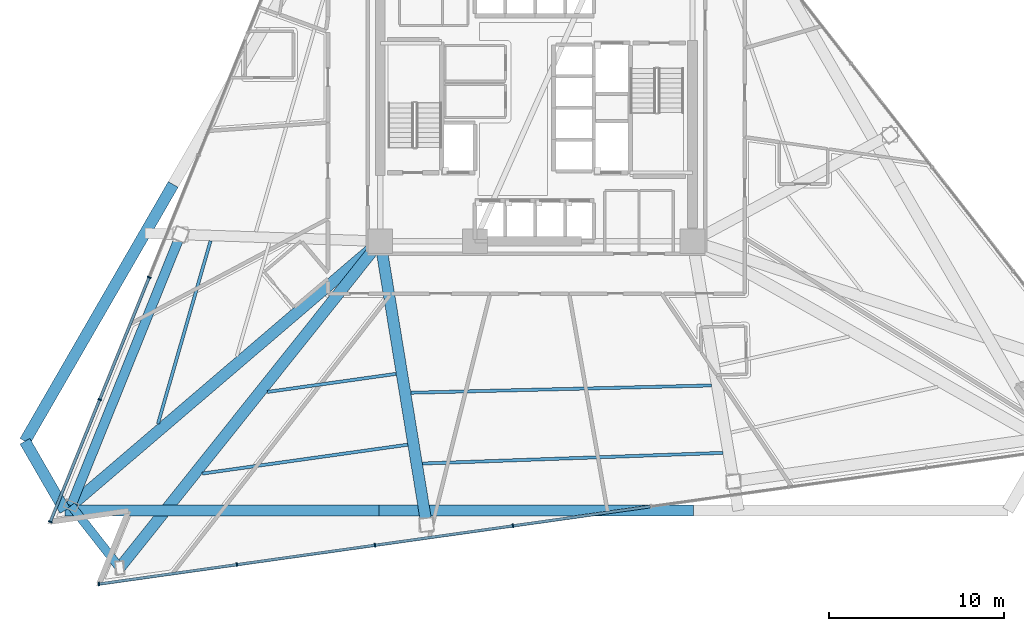
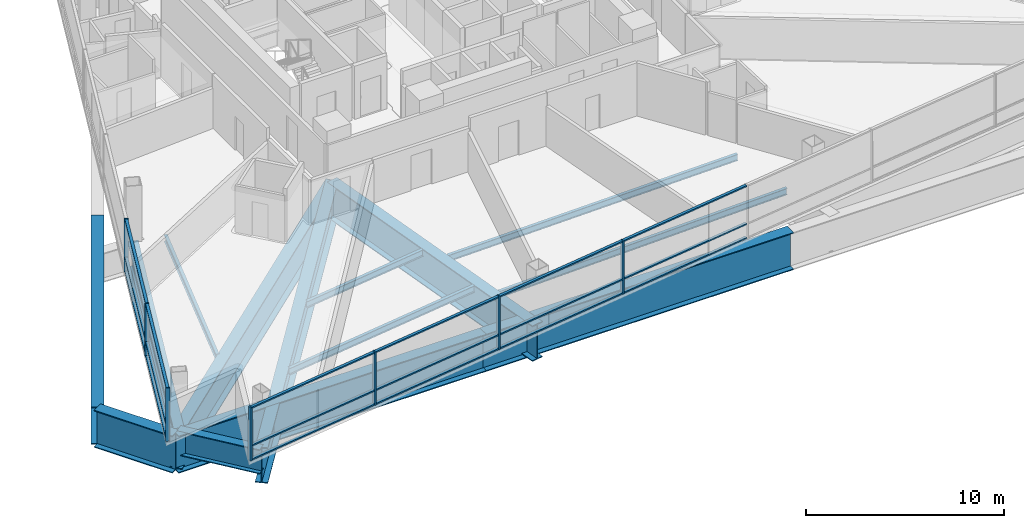
# One storey, part 2 of 15: 25 members, 14 beams, 2 elements without a shape of their own.
"""IFC4 building model written with IfcOpenShell, lengths in metres."""

from ifc_helpers import new_model, si_unit, direction, frame, origin, origin_2d, place, context, subcontext, project, spatial, rectangle, i_section, extrude, material, layer, layer_set, material_profile, profile_set, type_object, element, aggregate, save


model = new_model("IFC4")

# Units and contexts
model_context = context("Model", 3, precision=1e-05, world=origin(), true_north=direction((0.0, 1.0)))
body_context = subcontext(model_context, "Body", "Model", "MODEL_VIEW")
ifc_project = project(units=[si_unit("LENGTHUNIT", "METRE"), si_unit("AREAUNIT", "SQUARE_METRE"), si_unit("VOLUMEUNIT", "CUBIC_METRE"), si_unit("PLANEANGLEUNIT", "RADIAN"), si_unit("MASSUNIT", "GRAM", prefix="KILO")], contexts=[model_context])

# Site, building, storey
site_placement = place(None, origin())
site = spatial("IfcSite", under=ifc_project, at=site_placement, CompositionType="ELEMENT")
building_placement = place(site_placement, origin())
building = spatial("IfcBuilding", under=site, at=building_placement, Name="Tharavind Bronze Gate", CompositionType="ELEMENT")
storey_placement = place(building_placement, frame((0.0, 0.0, 57.0)))
storey = spatial("IfcBuildingStorey", under=building, at=storey_placement, Name="L13", CompositionType="ELEMENT", Elevation=57.0)

# Curtain wall, members
ifc_material_1 = material(Name="Anodised Bronze Aluminium", Category="aluminium")
ifc_layer = layer(ifc_material_1, 0.219970703125)
ifc_layer_set = layer_set([ifc_layer], Name="Anodised Bronze Aluminium")
curtain_wall_type = type_object("IfcCurtainWallType", Name="UNITISED CURTAIN WALL HOTEL", PredefinedType="USERDEFINED", material=ifc_layer_set)
curtain_wall_1_placement = place(storey_placement, origin())
curtain_wall_1 = element("IfcCurtainWall", 1, at=curtain_wall_1_placement, inside=storey, type_object=curtain_wall_type, Name="L13 unitised curtain wall hotel CW-L13-S1", ObjectType="UNITISED CURTAIN WALL", PredefinedType="USERDEFINED")
member_type_1 = type_object("IfcMemberType", Name="CURTAIN WALL MULLION 80X220", PredefinedType="MULLION", material=ifc_material_1)
member_1_placement = place(storey_placement, frame((-22.07666015625, -9.65625, 0.0), z_axis=(0.0, 0.0, 1.0), x_axis=(-0.374606593416, -0.927183854567, 0.0)))
member_1 = element("IfcMember", 2, at=member_1_placement, type_object=member_type_1, Name="CW-L13-S1 mullion 6", PredefinedType="MULLION", context=body_context, shape_type="SweptSolid", body=[
    extrude(rectangle(XDim=0.080078125, YDim=0.219970703125, at=origin_2d()), origin(), (0.0, 0.0, 1.0), 3.27490234375),
])
member_2_placement = place(storey_placement, frame((-24.891845703125, -16.6240234375, 0.0), z_axis=(0.0, 0.0, 1.0), x_axis=(-0.374606593416, -0.927183854567, 0.0)))
member_2 = element("IfcMember", 3, at=member_2_placement, type_object=member_type_1, Name="CW-L13-S1 mullion 7", PredefinedType="MULLION", context=body_context, shape_type="SweptSolid", body=[
    extrude(rectangle(XDim=0.080078125, YDim=0.219970703125, at=origin_2d()), origin(), (0.0, 0.0, 1.0), 3.27490234375),
])
member_3_placement = place(storey_placement, frame((-27.70703125, -23.591796875, 0.0), z_axis=(0.0, 0.0, 1.0), x_axis=(-0.374606593416, -0.927183854567, 0.0)))
member_3 = element("IfcMember", 4, at=member_3_placement, type_object=member_type_1, Name="CW-L13-S1 mullion 8", PredefinedType="MULLION", context=body_context, shape_type="SweptSolid", body=[
    extrude(rectangle(XDim=0.080078125, YDim=0.219970703125, at=origin_2d()), origin(), (0.0, 0.0, 1.0), 3.27490234375),
])

curtain_wall_2_placement = place(storey_placement, origin())
curtain_wall_2 = element("IfcCurtainWall", 5, at=curtain_wall_2_placement, inside=storey, type_object=curtain_wall_type, Name="L13 unitised curtain wall hotel CW-L13-S2", ObjectType="UNITISED CURTAIN WALL", PredefinedType="USERDEFINED")
member_4_placement = place(storey_placement, frame((-24.9365234375, -27.137939453125, 0.0), z_axis=(0.0, 0.0, 1.0), x_axis=(0.990268068742, 0.13917310096, 0.0)))
member_4 = element("IfcMember", 6, at=member_4_placement, type_object=member_type_1, Name="CW-L13-S2 mullion 1", PredefinedType="MULLION", context=body_context, shape_type="SweptSolid", body=[
    extrude(rectangle(XDim=0.080078125, YDim=0.219970703125, at=origin_2d()), origin(), (0.0, 0.0, 1.0), 3.27490234375),
])
member_5_placement = place(storey_placement, frame((-17.0703125, -26.032470703125, 0.0), z_axis=(0.0, 0.0, 1.0), x_axis=(0.990268068742, 0.13917310096, 0.0)))
member_5 = element("IfcMember", 7, at=member_5_placement, type_object=member_type_1, Name="CW-L13-S2 mullion 2", PredefinedType="MULLION", context=body_context, shape_type="SweptSolid", body=[
    extrude(rectangle(XDim=0.080078125, YDim=0.219970703125, at=origin_2d()), origin(), (0.0, 0.0, 1.0), 3.27490234375),
])
member_6_placement = place(storey_placement, frame((-9.203857421875, -24.9267578125, 0.0), z_axis=(0.0, 0.0, 1.0), x_axis=(0.990268068742, 0.13917310096, 0.0)))
member_6 = element("IfcMember", 8, at=member_6_placement, type_object=member_type_1, Name="CW-L13-S2 mullion 3", PredefinedType="MULLION", context=body_context, shape_type="SweptSolid", body=[
    extrude(rectangle(XDim=0.080078125, YDim=0.219970703125, at=origin_2d()), origin(), (0.0, 0.0, 1.0), 3.27490234375),
])
member_7_placement = place(storey_placement, frame((-1.337646484375, -23.8212890625, 0.0), z_axis=(0.0, 0.0, 1.0), x_axis=(0.990268068742, 0.13917310096, 0.0)))
member_7 = element("IfcMember", 9, at=member_7_placement, type_object=member_type_1, Name="CW-L13-S2 mullion 4", PredefinedType="MULLION", context=body_context, shape_type="SweptSolid", body=[
    extrude(rectangle(XDim=0.080078125, YDim=0.219970703125, at=origin_2d()), origin(), (0.0, 0.0, 1.0), 3.27490234375),
])

# Member
member_type_2 = type_object("IfcMemberType", Name="CURTAIN WALL TRANSOM 80X160", PredefinedType="USERDEFINED", material=ifc_material_1)
member_8_placement = place(storey_placement, frame((-23.484375, -13.14013671875, 0.0), z_axis=(0.0, 0.0, 1.0), x_axis=(-0.374606593416, -0.927183854567, 0.0)))
member_8 = element("IfcMember", 10, at=member_8_placement, type_object=member_type_2, Name="CW-L13-S1 transom TB6", ObjectType="TRANSOM", PredefinedType="USERDEFINED", context=body_context, shape_type="SweptSolid", body=[
    extrude(rectangle(XDim=7.447021484375, YDim=0.159912109375, at=origin_2d()), origin(), (0.0, 0.0, 1.0), 0.080078125),
])

member_9_placement = place(storey_placement, frame((-23.484375, -13.14013671875, 0.85986328125), z_axis=(0.0, 0.0, 1.0), x_axis=(-0.374606593416, -0.927183854567, 0.0)))
member_9 = element("IfcMember", 11, at=member_9_placement, type_object=member_type_2, Name="CW-L13-S1 transom TS6", ObjectType="TRANSOM", PredefinedType="USERDEFINED", context=body_context, shape_type="SweptSolid", body=[
    extrude(rectangle(XDim=7.447021484375, YDim=0.159912109375, at=origin_2d()), origin(), (0.0, 0.0, 1.0), 0.080078125),
])

member_10_placement = place(storey_placement, frame((-23.484375, -13.14013671875, 3.195068359375), z_axis=(0.0, 0.0, 1.0), x_axis=(-0.374606593416, -0.927183854567, 0.0)))
member_10 = element("IfcMember", 12, at=member_10_placement, type_object=member_type_2, Name="CW-L13-S1 transom TT6", ObjectType="TRANSOM", PredefinedType="USERDEFINED", context=body_context, shape_type="SweptSolid", body=[
    extrude(rectangle(XDim=7.447021484375, YDim=0.159912109375, at=origin_2d()), origin(), (0.0, 0.0, 1.0), 0.080078125),
])

member_11_placement = place(storey_placement, frame((-26.299560546875, -20.10791015625, 0.0), z_axis=(0.0, 0.0, 1.0), x_axis=(-0.374606593416, -0.927183854567, 0.0)))
member_11 = element("IfcMember", 13, at=member_11_placement, type_object=member_type_2, Name="CW-L13-S1 transom TB7", ObjectType="TRANSOM", PredefinedType="USERDEFINED", context=body_context, shape_type="SweptSolid", body=[
    extrude(rectangle(XDim=7.447021484375, YDim=0.159912109375, at=origin_2d()), origin(), (0.0, 0.0, 1.0), 0.080078125),
])

member_12_placement = place(storey_placement, frame((-26.299560546875, -20.10791015625, 0.85986328125), z_axis=(0.0, 0.0, 1.0), x_axis=(-0.374606593416, -0.927183854567, 0.0)))
member_12 = element("IfcMember", 14, at=member_12_placement, type_object=member_type_2, Name="CW-L13-S1 transom TS7", ObjectType="TRANSOM", PredefinedType="USERDEFINED", context=body_context, shape_type="SweptSolid", body=[
    extrude(rectangle(XDim=7.447021484375, YDim=0.159912109375, at=origin_2d()), origin(), (0.0, 0.0, 1.0), 0.080078125),
])

member_13_placement = place(storey_placement, frame((-26.299560546875, -20.10791015625, 3.195068359375), z_axis=(0.0, 0.0, 1.0), x_axis=(-0.374606593416, -0.927183854567, 0.0)))
member_13 = element("IfcMember", 15, at=member_13_placement, type_object=member_type_2, Name="CW-L13-S1 transom TT7", ObjectType="TRANSOM", PredefinedType="USERDEFINED", context=body_context, shape_type="SweptSolid", body=[
    extrude(rectangle(XDim=7.447021484375, YDim=0.159912109375, at=origin_2d()), origin(), (0.0, 0.0, 1.0), 0.080078125),
])

aggregate(curtain_wall_1, [member_1, member_2, member_3, member_8, member_9, member_10, member_11, member_12, member_13])

member_14_placement = place(storey_placement, frame((-21.00341796875, -26.585205078125, 0.0), z_axis=(0.0, 0.0, 1.0), x_axis=(0.990268068742, 0.13917310096, 0.0)))
member_14 = element("IfcMember", 16, at=member_14_placement, type_object=member_type_2, Name="CW-L13-S2 transom TB1", ObjectType="TRANSOM", PredefinedType="USERDEFINED", context=body_context, shape_type="SweptSolid", body=[
    extrude(rectangle(XDim=7.87548828125, YDim=0.159912109375, at=origin_2d()), origin(), (0.0, 0.0, 1.0), 0.080078125),
])

member_15_placement = place(storey_placement, frame((-21.00341796875, -26.585205078125, 0.85986328125), z_axis=(0.0, 0.0, 1.0), x_axis=(0.990268068742, 0.13917310096, 0.0)))
member_15 = element("IfcMember", 17, at=member_15_placement, type_object=member_type_2, Name="CW-L13-S2 transom TS1", ObjectType="TRANSOM", PredefinedType="USERDEFINED", context=body_context, shape_type="SweptSolid", body=[
    extrude(rectangle(XDim=7.87548828125, YDim=0.159912109375, at=origin_2d()), origin(), (0.0, 0.0, 1.0), 0.080078125),
])

member_16_placement = place(storey_placement, frame((-21.00341796875, -26.585205078125, 3.195068359375), z_axis=(0.0, 0.0, 1.0), x_axis=(0.990268068742, 0.13917310096, 0.0)))
member_16 = element("IfcMember", 18, at=member_16_placement, type_object=member_type_2, Name="CW-L13-S2 transom TT1", ObjectType="TRANSOM", PredefinedType="USERDEFINED", context=body_context, shape_type="SweptSolid", body=[
    extrude(rectangle(XDim=7.87548828125, YDim=0.159912109375, at=origin_2d()), origin(), (0.0, 0.0, 1.0), 0.080078125),
])

member_17_placement = place(storey_placement, frame((-13.13720703125, -25.4794921875, 0.0), z_axis=(0.0, 0.0, 1.0), x_axis=(0.990268068742, 0.13917310096, 0.0)))
member_17 = element("IfcMember", 19, at=member_17_placement, type_object=member_type_2, Name="CW-L13-S2 transom TB2", ObjectType="TRANSOM", PredefinedType="USERDEFINED", context=body_context, shape_type="SweptSolid", body=[
    extrude(rectangle(XDim=7.87548828125, YDim=0.159912109375, at=origin_2d()), origin(), (0.0, 0.0, 1.0), 0.080078125),
])

member_18_placement = place(storey_placement, frame((-13.13720703125, -25.4794921875, 0.85986328125), z_axis=(0.0, 0.0, 1.0), x_axis=(0.990268068742, 0.13917310096, 0.0)))
member_18 = element("IfcMember", 20, at=member_18_placement, type_object=member_type_2, Name="CW-L13-S2 transom TS2", ObjectType="TRANSOM", PredefinedType="USERDEFINED", context=body_context, shape_type="SweptSolid", body=[
    extrude(rectangle(XDim=7.87548828125, YDim=0.159912109375, at=origin_2d()), origin(), (0.0, 0.0, 1.0), 0.080078125),
])

member_19_placement = place(storey_placement, frame((-13.13720703125, -25.4794921875, 3.195068359375), z_axis=(0.0, 0.0, 1.0), x_axis=(0.990268068742, 0.13917310096, 0.0)))
member_19 = element("IfcMember", 21, at=member_19_placement, type_object=member_type_2, Name="CW-L13-S2 transom TT2", ObjectType="TRANSOM", PredefinedType="USERDEFINED", context=body_context, shape_type="SweptSolid", body=[
    extrude(rectangle(XDim=7.87548828125, YDim=0.159912109375, at=origin_2d()), origin(), (0.0, 0.0, 1.0), 0.080078125),
])

member_20_placement = place(storey_placement, frame((-5.270751953125, -24.3740234375, 0.0), z_axis=(0.0, 0.0, 1.0), x_axis=(0.990268068742, 0.13917310096, 0.0)))
member_20 = element("IfcMember", 22, at=member_20_placement, type_object=member_type_2, Name="CW-L13-S2 transom TB3", ObjectType="TRANSOM", PredefinedType="USERDEFINED", context=body_context, shape_type="SweptSolid", body=[
    extrude(rectangle(XDim=7.87548828125, YDim=0.159912109375, at=origin_2d()), origin(), (0.0, 0.0, 1.0), 0.080078125),
])

member_21_placement = place(storey_placement, frame((-5.270751953125, -24.3740234375, 0.85986328125), z_axis=(0.0, 0.0, 1.0), x_axis=(0.990268068742, 0.13917310096, 0.0)))
member_21 = element("IfcMember", 23, at=member_21_placement, type_object=member_type_2, Name="CW-L13-S2 transom TS3", ObjectType="TRANSOM", PredefinedType="USERDEFINED", context=body_context, shape_type="SweptSolid", body=[
    extrude(rectangle(XDim=7.87548828125, YDim=0.159912109375, at=origin_2d()), origin(), (0.0, 0.0, 1.0), 0.080078125),
])

member_22_placement = place(storey_placement, frame((-5.270751953125, -24.3740234375, 3.195068359375), z_axis=(0.0, 0.0, 1.0), x_axis=(0.990268068742, 0.13917310096, 0.0)))
member_22 = element("IfcMember", 24, at=member_22_placement, type_object=member_type_2, Name="CW-L13-S2 transom TT3", ObjectType="TRANSOM", PredefinedType="USERDEFINED", context=body_context, shape_type="SweptSolid", body=[
    extrude(rectangle(XDim=7.87548828125, YDim=0.159912109375, at=origin_2d()), origin(), (0.0, 0.0, 1.0), 0.080078125),
])

member_23_placement = place(storey_placement, frame((2.595703125, -23.2685546875, 0.0), z_axis=(0.0, 0.0, 1.0), x_axis=(0.990268068742, 0.13917310096, 0.0)))
member_23 = element("IfcMember", 25, at=member_23_placement, type_object=member_type_2, Name="CW-L13-S2 transom TB4", ObjectType="TRANSOM", PredefinedType="USERDEFINED", context=body_context, shape_type="SweptSolid", body=[
    extrude(rectangle(XDim=7.87548828125, YDim=0.159912109375, at=origin_2d()), origin(), (0.0, 0.0, 1.0), 0.080078125),
])

member_24_placement = place(storey_placement, frame((2.595703125, -23.2685546875, 0.85986328125), z_axis=(0.0, 0.0, 1.0), x_axis=(0.990268068742, 0.13917310096, 0.0)))
member_24 = element("IfcMember", 26, at=member_24_placement, type_object=member_type_2, Name="CW-L13-S2 transom TS4", ObjectType="TRANSOM", PredefinedType="USERDEFINED", context=body_context, shape_type="SweptSolid", body=[
    extrude(rectangle(XDim=7.87548828125, YDim=0.159912109375, at=origin_2d()), origin(), (0.0, 0.0, 1.0), 0.080078125),
])

member_25_placement = place(storey_placement, frame((2.595703125, -23.2685546875, 3.195068359375), z_axis=(0.0, 0.0, 1.0), x_axis=(0.990268068742, 0.13917310096, 0.0)))
member_25 = element("IfcMember", 27, at=member_25_placement, type_object=member_type_2, Name="CW-L13-S2 transom TT4", ObjectType="TRANSOM", PredefinedType="USERDEFINED", context=body_context, shape_type="SweptSolid", body=[
    extrude(rectangle(XDim=7.87548828125, YDim=0.159912109375, at=origin_2d()), origin(), (0.0, 0.0, 1.0), 0.080078125),
])

aggregate(curtain_wall_2, [member_4, member_5, member_6, member_7, member_14, member_15, member_16, member_17, member_18, member_19, member_20, member_21, member_22, member_23, member_24, member_25])

# Beams
ifc_material_2 = material(Name="Steel S355", Category="steel")
ifc_material_profile_1 = material_profile(ifc_material_2, i_section(OverallWidth=0.179931640625, OverallDepth=0.39990234375, WebThickness=0.008544921875, FlangeThickness=0.013427734375, at=origin_2d()), Name="IPE400")
ifc_profile_set_1 = profile_set([ifc_material_profile_1], Name="Steel S355")
beam_type_1 = type_object("IfcBeamType", Name="SECONDARY FLOOR JOIST IPE400", PredefinedType="JOIST", material=ifc_profile_set_1)
beam_1_placement = place(storey_placement, frame((-18.575439453125, -7.5751953125, -0.389892578125), z_axis=(-0.276277812464, -0.961077817006, 0.0), x_axis=(0.961077817006, -0.276277812464, 0.0)))
element("IfcBeam", 28, at=beam_1_placement, inside=storey, type_object=beam_type_1, Name="L13 secondary floor joist ipe400 BM-L13-JSTB03", PredefinedType="JOIST", context=body_context, shape_type="SweptSolid", body=[
    extrude(i_section(OverallWidth=0.179931640625, OverallDepth=0.39990234375, WebThickness=0.008544921875, FlangeThickness=0.013427734375, at=origin_2d()), origin(), (0.0, 0.0, 1.0), 10.8515625),
])
beam_2_placement = place(storey_placement, frame((-15.335205078125, -16.189208984375, -0.389892578125), z_axis=(0.990269139703, 0.139165480457, 0.0), x_axis=(-0.139165480457, 0.990269139703, 0.0)))
element("IfcBeam", 29, at=beam_2_placement, inside=storey, type_object=beam_type_1, Name="L13 secondary floor joist ipe400 BM-L13-JSTA05", PredefinedType="JOIST", context=body_context, shape_type="SweptSolid", body=[
    extrude(i_section(OverallWidth=0.179931640625, OverallDepth=0.39990234375, WebThickness=0.008544921875, FlangeThickness=0.013427734375, at=origin_2d()), origin(), (0.0, 0.0, 1.0), 7.41015625),
])
beam_3_placement = place(storey_placement, frame((-19.048828125, -20.843017578125, -0.389892578125), z_axis=(0.990266094352, 0.139187148752, 0.0), x_axis=(-0.139187148752, 0.990266094352, 0.0)))
element("IfcBeam", 30, at=beam_3_placement, inside=storey, type_object=beam_type_1, Name="L13 secondary floor joist ipe400 BM-L13-JSTB05", PredefinedType="JOIST", context=body_context, shape_type="SweptSolid", body=[
    extrude(i_section(OverallWidth=0.179931640625, OverallDepth=0.39990234375, WebThickness=0.008544921875, FlangeThickness=0.013427734375, at=origin_2d()), origin(), (0.0, 0.0, 1.0), 11.82763671875),
])
beam_4_placement = place(storey_placement, frame((-7.154296875, -16.235107421875, -0.389892578125), z_axis=(0.999706786028, 0.024214499165, 0.0), x_axis=(-0.024214499165, 0.999706786028, 0.0)))
element("IfcBeam", 31, at=beam_4_placement, inside=storey, type_object=beam_type_1, Name="L13 secondary floor joist ipe400 BM-L13-JSTA06", PredefinedType="JOIST", context=body_context, shape_type="SweptSolid", body=[
    extrude(i_section(OverallWidth=0.179931640625, OverallDepth=0.39990234375, WebThickness=0.008544921875, FlangeThickness=0.013427734375, at=origin_2d()), origin(), (0.0, 0.0, 1.0), 17.130126953125),
])
beam_5_placement = place(storey_placement, frame((-6.494140625, -20.27001953125, -0.389892578125), z_axis=(0.999369210456, 0.035513112959, 0.0), x_axis=(-0.035513112959, 0.999369210456, 0.0)))
element("IfcBeam", 32, at=beam_5_placement, inside=storey, type_object=beam_type_1, Name="L13 secondary floor joist ipe400 BM-L13-JSTB06", PredefinedType="JOIST", context=body_context, shape_type="SweptSolid", body=[
    extrude(i_section(OverallWidth=0.179931640625, OverallDepth=0.39990234375, WebThickness=0.008544921875, FlangeThickness=0.013427734375, at=origin_2d()), origin(), (0.0, 0.0, 1.0), 17.131591796875),
])
ifc_material_3 = material(Name="Steel S460", Category="steel")
ifc_material_profile_2 = material_profile(ifc_material_3, i_section(OverallWidth=0.5, OverallDepth=1.5, WebThickness=0.028076171875, FlangeThickness=0.050048828125, at=origin_2d()), Name="PG1500X500")
ifc_profile_set_2 = profile_set([ifc_material_profile_2], Name="Steel S460")
beam_type_2 = type_object("IfcBeamType", Name="TRANSFER GIRDER 1500X500", PredefinedType="USERDEFINED", material=ifc_profile_set_2)
beam_6_placement = place(storey_placement, frame((-26.525146484375, -22.66845703125, -0.93994140625), z_axis=(0.615681943852, -0.787994761413, 0.0), x_axis=(0.787994761413, 0.615681943852, 0.0)))
element("IfcBeam", 33, at=beam_6_placement, inside=storey, type_object=beam_type_2, Name="L13 transfer girder 1500x500 BM-L13-URG04", ObjectType="TRANSFER GIRDER", PredefinedType="USERDEFINED", context=body_context, shape_type="SweptSolid", body=[
    extrude(i_section(OverallWidth=0.5, OverallDepth=1.5, WebThickness=0.028076171875, FlangeThickness=0.050048828125, at=origin_2d()), origin(), (0.0, 0.0, 1.0), 4.5),
])
ifc_material_profile_3 = material_profile(ifc_material_3, i_section(OverallWidth=0.550048828125, OverallDepth=1.60009765625, WebThickness=0.030029296875, FlangeThickness=0.050048828125, at=origin_2d()), Name="PG1600X550")
ifc_profile_set_3 = profile_set([ifc_material_profile_3], Name="Steel S460")
beam_type_3 = type_object("IfcBeamType", Name="TRANSFER GIRDER 1600X550", PredefinedType="USERDEFINED", material=ifc_profile_set_3)
beam_7_placement = place(storey_placement, frame((-20.28076171875, -7.212890625, -0.989990234375), z_axis=(-0.374603014443, -0.927185300557, 0.0), x_axis=(0.927185300557, -0.374603014443, 0.0)))
element("IfcBeam", 34, at=beam_7_placement, inside=storey, type_object=beam_type_3, Name="L13 transfer girder 1600x550 BM-L13-URG03", ObjectType="TRANSFER GIRDER", PredefinedType="USERDEFINED", context=body_context, shape_type="SweptSolid", body=[
    extrude(i_section(OverallWidth=0.550048828125, OverallDepth=1.60009765625, WebThickness=0.030029296875, FlangeThickness=0.050048828125, at=origin_2d()), origin(), (0.0, 0.0, 1.0), 16.66943359375),
])
ifc_material_profile_4 = material_profile(ifc_material_3, i_section(OverallWidth=0.64990234375, OverallDepth=2.199951171875, WebThickness=0.035888671875, FlangeThickness=0.054931640625, at=origin_2d()), Name="PG2200X650")
ifc_profile_set_4 = profile_set([ifc_material_profile_4], Name="Steel S460")
beam_type_4 = type_object("IfcBeamType", Name="TRANSFER GIRDER 2200X650", PredefinedType="USERDEFINED", material=ifc_profile_set_4)
beam_8_placement = place(storey_placement, frame((-8.89990234375, -7.60009765625, -1.2900390625), z_axis=(-0.760088409184, -0.64981967516, 0.0), x_axis=(0.64981967516, -0.760088409184, 0.0)))
element("IfcBeam", 35, at=beam_8_placement, inside=storey, type_object=beam_type_4, Name="L13 transfer girder 2200x650 BM-L13-XFR04", ObjectType="TRANSFER GIRDER", PredefinedType="USERDEFINED", context=body_context, shape_type="SweptSolid", body=[
    extrude(i_section(OverallWidth=0.64990234375, OverallDepth=2.199951171875, WebThickness=0.035888671875, FlangeThickness=0.054931640625, at=origin_2d()), origin(), (0.0, 0.0, 1.0), 23.621826171875),
])
beam_9_placement = place(storey_placement, frame((-8.89990234375, -7.60009765625, -1.2900390625), z_axis=(-0.623755703822, -0.781619358735, 0.0), x_axis=(0.781619358735, -0.623755703822, 0.0)))
element("IfcBeam", 36, at=beam_9_placement, inside=storey, type_object=beam_type_4, Name="L13 transfer girder 2200x650 BM-L13-XFR05", ObjectType="TRANSFER GIRDER", PredefinedType="USERDEFINED", context=body_context, shape_type="SweptSolid", body=[
    extrude(i_section(OverallWidth=0.64990234375, OverallDepth=2.199951171875, WebThickness=0.035888671875, FlangeThickness=0.054931640625, at=origin_2d()), origin(), (0.0, 0.0, 1.0), 23.81494140625),
])
beam_10_placement = place(storey_placement, frame((-8.89990234375, -7.60009765625, -1.2900390625), z_axis=(0.161428355107, -0.986884434049, 0.0), x_axis=(0.986884434049, 0.161428355107, 0.0)))
element("IfcBeam", 37, at=beam_10_placement, inside=storey, type_object=beam_type_4, Name="L13 transfer girder 2200x650 BM-L13-XFR06", ObjectType="TRANSFER GIRDER", PredefinedType="USERDEFINED", context=body_context, shape_type="SweptSolid", body=[
    extrude(i_section(OverallWidth=0.64990234375, OverallDepth=2.199951171875, WebThickness=0.035888671875, FlangeThickness=0.054931640625, at=origin_2d()), origin(), (0.0, 0.0, 1.0), 16.369873046875),
])
ifc_material_profile_5 = material_profile(ifc_material_3, i_section(OverallWidth=0.64990234375, OverallDepth=2.300048828125, WebThickness=0.035888671875, FlangeThickness=0.05810546875, at=origin_2d()), Name="PG2300X650")
ifc_profile_set_5 = profile_set([ifc_material_profile_5], Name="Steel S460")
beam_type_5 = type_object("IfcBeamType", Name="TRANSFER GIRDER 2300X650", PredefinedType="USERDEFINED", material=ifc_profile_set_5)
beam_11_placement = place(storey_placement, frame((-20.70458984375, -4.361083984375, -1.340087890625), z_axis=(-0.4999912383, -0.866030462295, 0.0), x_axis=(0.866030462295, -0.4999912383, 0.0)))
element("IfcBeam", 38, at=beam_11_placement, inside=storey, type_object=beam_type_5, Name="L13 transfer girder 2300x650 BM-L13-LRG03", ObjectType="TRANSFER GIRDER", PredefinedType="USERDEFINED", context=body_context, shape_type="SweptSolid", body=[
    extrude(i_section(OverallWidth=0.64990234375, OverallDepth=2.300048828125, WebThickness=0.035888671875, FlangeThickness=0.05810546875, at=origin_2d()), origin(), (0.0, 0.0, 1.0), 16.904541015625),
])
beam_12_placement = place(storey_placement, frame((-29.15673828125, -19.0009765625, -1.340087890625), z_axis=(0.500014431597, -0.866017071537, 0.0), x_axis=(0.866017071537, 0.500014431597, 0.0)))
element("IfcBeam", 39, at=beam_12_placement, inside=storey, type_object=beam_type_5, Name="L13 transfer girder 2300x650 BM-L13-LRG04", ObjectType="TRANSFER GIRDER", PredefinedType="USERDEFINED", context=body_context, shape_type="SweptSolid", body=[
    extrude(i_section(OverallWidth=0.64990234375, OverallDepth=2.300048828125, WebThickness=0.035888671875, FlangeThickness=0.05810546875, at=origin_2d()), origin(), (0.0, 0.0, 1.0), 4.559814453125),
])
beam_13_placement = place(storey_placement, frame((-26.876708984375, -22.949951171875, -1.340087890625), z_axis=(1.0, 0.0, 0.0), x_axis=(0.0, 1.0, 0.0)))
element("IfcBeam", 40, at=beam_13_placement, inside=storey, type_object=beam_type_5, Name="L13 transfer girder 2300x650 BM-L13-LRG05", ObjectType="TRANSFER GIRDER", PredefinedType="USERDEFINED", context=body_context, shape_type="SweptSolid", body=[
    extrude(i_section(OverallWidth=0.64990234375, OverallDepth=2.300048828125, WebThickness=0.035888671875, FlangeThickness=0.05810546875, at=origin_2d()), origin(), (0.0, 0.0, 1.0), 17.917724609375),
])
beam_14_placement = place(storey_placement, frame((-8.958984375, -22.949951171875, -1.340087890625), z_axis=(1.0, 0.0, 0.0), x_axis=(0.0, 1.0, 0.0)))
element("IfcBeam", 41, at=beam_14_placement, inside=storey, type_object=beam_type_5, Name="L13 transfer girder 2300x650 BM-L13-LRG06", ObjectType="TRANSFER GIRDER", PredefinedType="USERDEFINED", context=body_context, shape_type="SweptSolid", body=[
    extrude(i_section(OverallWidth=0.64990234375, OverallDepth=2.300048828125, WebThickness=0.035888671875, FlangeThickness=0.05810546875, at=origin_2d()), origin(), (0.0, 0.0, 1.0), 17.91796875),
])

save(model, "model.ifc")
